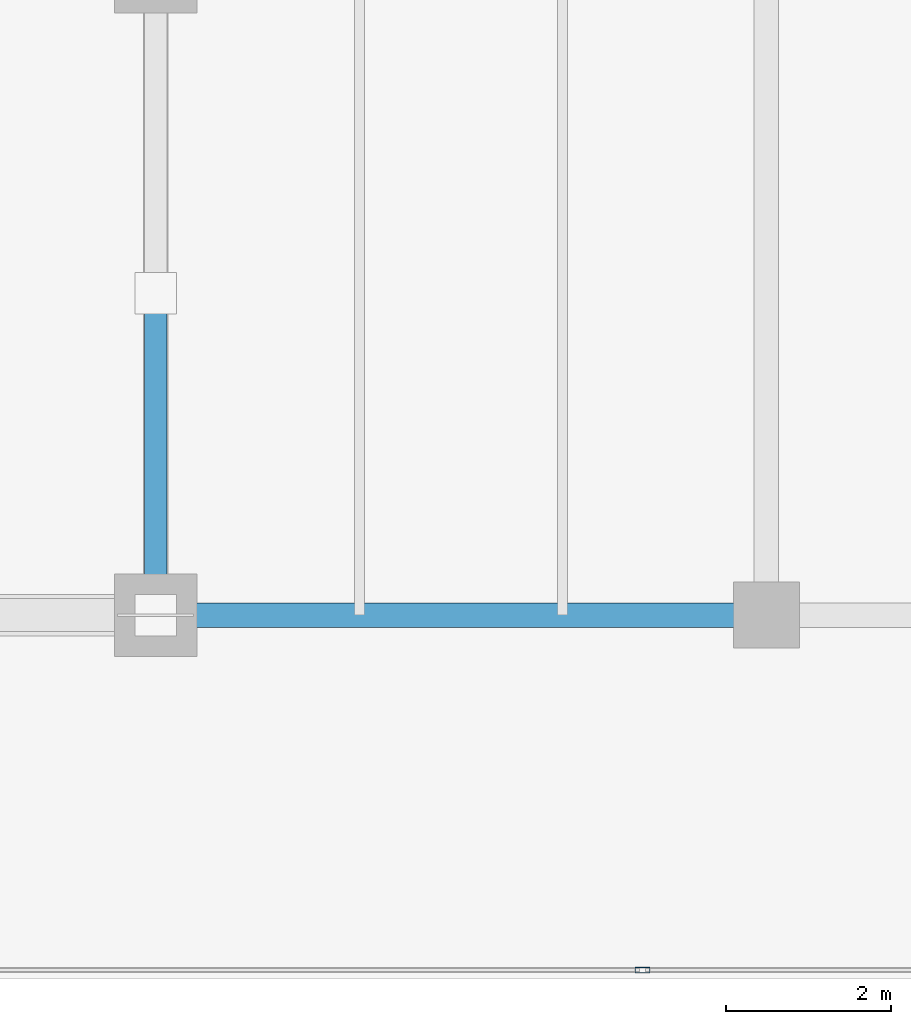
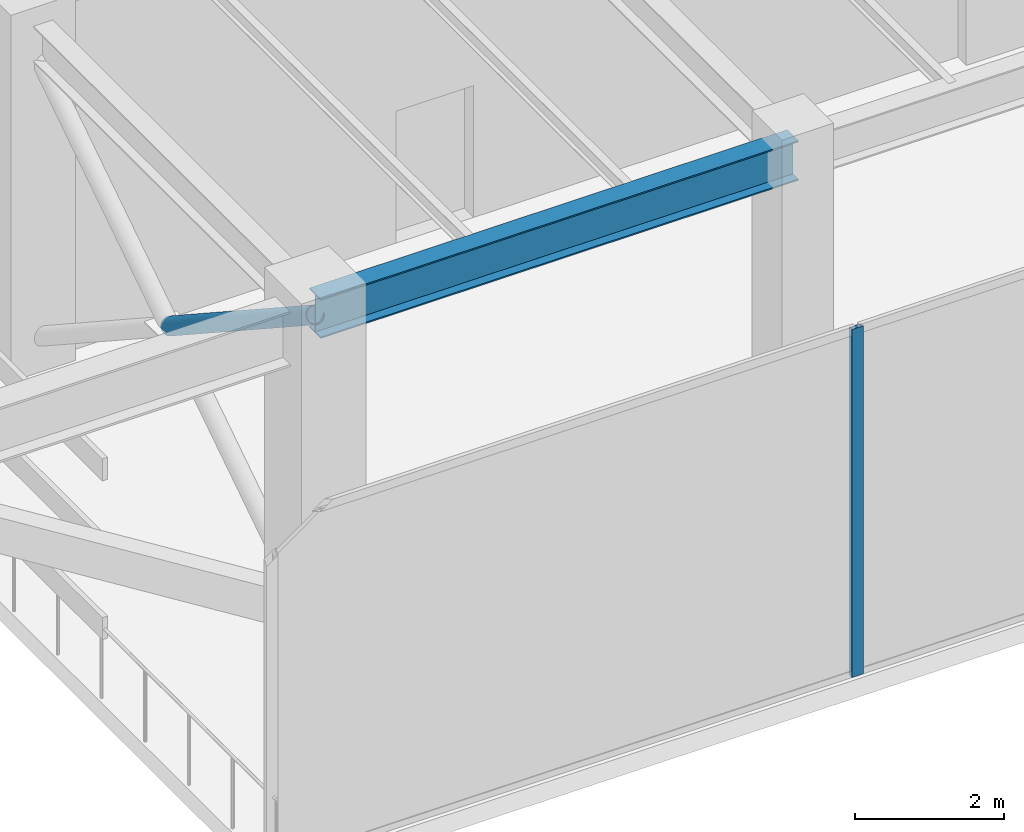
# One storey, part 10 of 30: 2 members, 1 beam, 1 element without a shape of its own.
"""IFC4 building model written with IfcOpenShell, lengths in metres."""

from ifc_helpers import new_model, si_unit, direction, frame, origin, origin_2d, place, context, subcontext, project, spatial, hollow_rectangle, hollow_circle, i_section, extrude, source, transform, mapped, material, layer, layer_set, material_profile, profile_set, type_object, type_shapes, element, aggregate, save


model = new_model("IFC4")

# Units and contexts
model_context = context("Model", 3, precision=1e-05, world=origin(), true_north=direction((0.0, 1.0)))
body_context = subcontext(model_context, "Body", "Model", "MODEL_VIEW")
ifc_project = project(units=[si_unit("LENGTHUNIT", "METRE"), si_unit("AREAUNIT", "SQUARE_METRE"), si_unit("VOLUMEUNIT", "CUBIC_METRE"), si_unit("PLANEANGLEUNIT", "RADIAN"), si_unit("MASSUNIT", "GRAM", prefix="KILO")], contexts=[model_context])

# Site, building, storey
site_placement = place(None, origin())
site = spatial("IfcSite", under=ifc_project, at=site_placement, CompositionType="ELEMENT")
building_placement = place(site_placement, origin())
building = spatial("IfcBuilding", under=site, at=building_placement, Name="Haelvirn Gate Laboratories", CompositionType="ELEMENT")
storey_placement = place(building_placement, frame((0.0, 0.0, 291.60009765625)))
storey = spatial("IfcBuildingStorey", under=building, at=storey_placement, Name="L70", CompositionType="ELEMENT", Elevation=291.60009765625)

# Beam
ifc_material_1 = material(Name="Steel SM355", Category="steel")
ifc_material_profile_1 = material_profile(ifc_material_1, i_section(OverallWidth=0.300048828125, OverallDepth=0.64990234375, WebThickness=0.012939453125, FlangeThickness=0.02197265625, at=origin_2d()), Name="H-650x300x13x22")
ifc_profile_set_1 = profile_set([ifc_material_profile_1], Name="Steel SM355")
beam_type = type_object("IfcBeamType", Name="BM-G-650", PredefinedType="BEAM", material=ifc_profile_set_1)
shared_shape_1 = source(origin(), body_context, "Body", "SweptSolid", [
    extrude(i_section(OverallWidth=0.300048828125, OverallDepth=0.64990234375, WebThickness=0.012939453125, FlangeThickness=0.02197265625, at=origin_2d()), origin(), (0.0, 0.0, 1.0), 7.39990234375),
])
type_shapes(beam_type, [shared_shape_1])
beam_placement = place(storey_placement, frame((52.60009765625, 7.0, 5.375), z_axis=(1.0, 0.0, 0.0), x_axis=(0.0, 1.0, 0.0)))
element("IfcBeam", 1, at=beam_placement, inside=storey, type_object=beam_type, Name="L70 Primary Girder Y7.0 (52.6-60.0)", PredefinedType="BEAM", context=body_context, shape_type="MappedRepresentation", body=[
    mapped(shared_shape_1, transform((0.0, 0.0, 0.0), scale=1.0)),
])

# Member
ifc_material_profile_2 = material_profile(ifc_material_1, hollow_circle(Radius=0.136474609375, WallThickness=0.011962890625, at=origin_2d()), Name="CHS-273x12")
ifc_profile_set_2 = profile_set([ifc_material_profile_2], Name="Steel SM355")
member_type_1 = type_object("IfcMemberType", Name="MEM-TURB-BRACE", PredefinedType="STRUT", material=ifc_profile_set_2)
shared_shape_2 = source(origin(), body_context, "Body", "SweptSolid", [
    extrude(hollow_circle(Radius=0.136474609375, WallThickness=0.011962890625, at=origin_2d()), origin(), (0.0, 0.0, 1.0), 4.65966796875),
])
type_shapes(member_type_1, [shared_shape_2])
member_1_placement = place(storey_placement, frame((52.60009765625, 7.0, 5.349853515625), z_axis=(0.0, 0.836958537543, -0.547266303032), x_axis=(-1.0, 0.0, 0.0)))
element("IfcMember", 2, at=member_1_placement, inside=storey, type_object=member_type_1, Name="L70 Wind-Turbine Portal Split X-Brace E-S Lower", PredefinedType="STRUT", context=body_context, shape_type="MappedRepresentation", body=[
    mapped(shared_shape_2, transform((0.0, 0.0, 0.0), scale=1.0)),
])

# Curtain wall, member
ifc_material_2 = material(Name="Anodised bronze unitised aluminium & triple low-E glass", Category="aluminium")
ifc_layer = layer(ifc_material_2, 0.176025390625, Name="CW-SYS-4")
ifc_layer_set = layer_set([ifc_layer], Name="Anodised bronze unitised aluminium & triple low-E glass")
curtain_wall_type = type_object("IfcCurtainWallType", Name="CW-SYS-4", PredefinedType="NOTDEFINED", material=ifc_layer_set)
curtain_wall_placement = place(storey_placement, origin())
curtain_wall = element("IfcCurtainWall", 3, at=curtain_wall_placement, inside=storey, type_object=curtain_wall_type, Name="L70 Unitised Curtain Wall CW-L70-P1-E00-1", PredefinedType="NOTDEFINED")
ifc_material_3 = material(Name="Extruded aluminium 6063-T6 (anodised bronze)", Category="aluminium")
ifc_material_profile_3 = material_profile(ifc_material_3, hollow_rectangle(XDim=0.070068359375, YDim=0.179931640625, WallThickness=0.0048828125, at=origin_2d()), Name="CWM-180x70x5")
ifc_profile_set_3 = profile_set([ifc_material_profile_3], Name="Extruded aluminium 6063-T6 (anodised bronze)")
member_type_2 = type_object("IfcMemberType", Name="CWM-T180", PredefinedType="MULLION", material=ifc_profile_set_3)
shared_shape_3 = source(origin(), body_context, "Body", "SweptSolid", [
    extrude(hollow_rectangle(XDim=0.070068359375, YDim=0.179931640625, WallThickness=0.0048828125, at=origin_2d()), origin(), (0.0, 0.0, 1.0), 5.699951171875),
])
type_shapes(member_type_2, [shared_shape_3])
member_2_placement = place(storey_placement, frame((58.5, 2.699951171875, 0.0), z_axis=(0.0, 0.0, 1.0), x_axis=(0.0, 1.0, 0.0)))
member_2 = element("IfcMember", 4, at=member_2_placement, type_object=member_type_2, Name="CW4 mullion 2", PredefinedType="MULLION", context=body_context, shape_type="MappedRepresentation", body=[
    mapped(shared_shape_3, transform((0.0, 0.0, 0.0), scale=1.0)),
])
aggregate(curtain_wall, [member_2])

save(model, "model.ifc")
